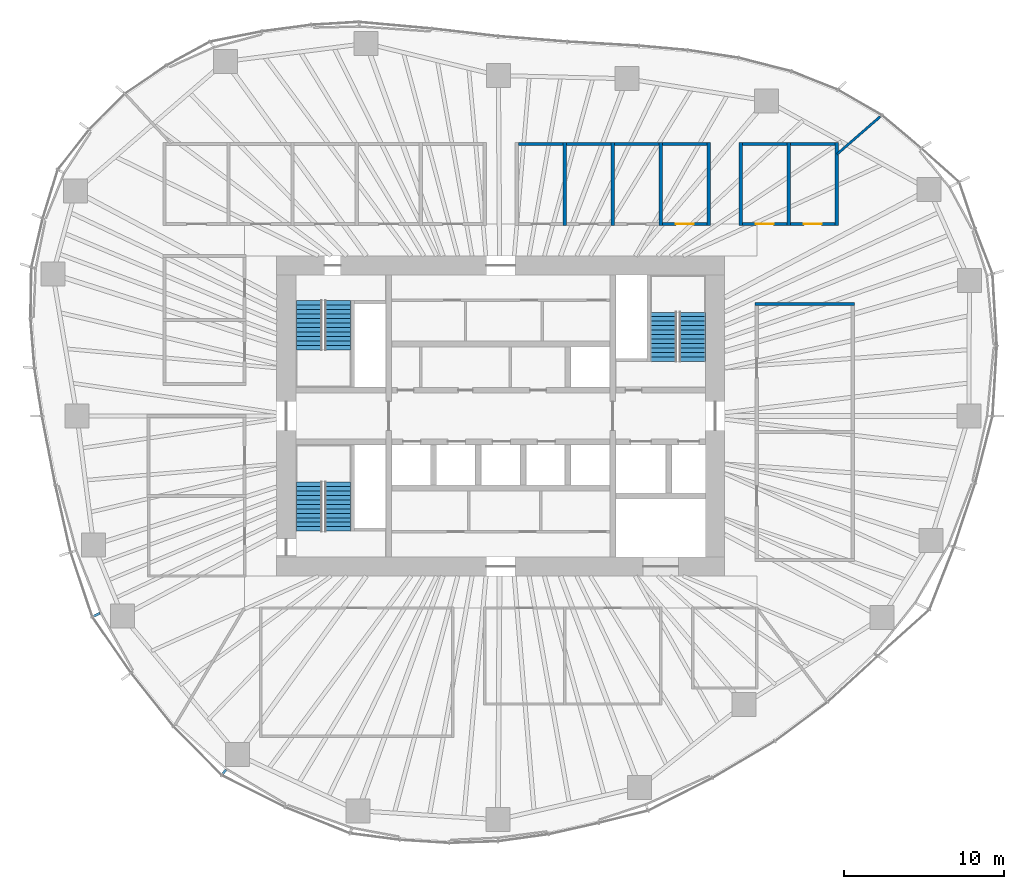
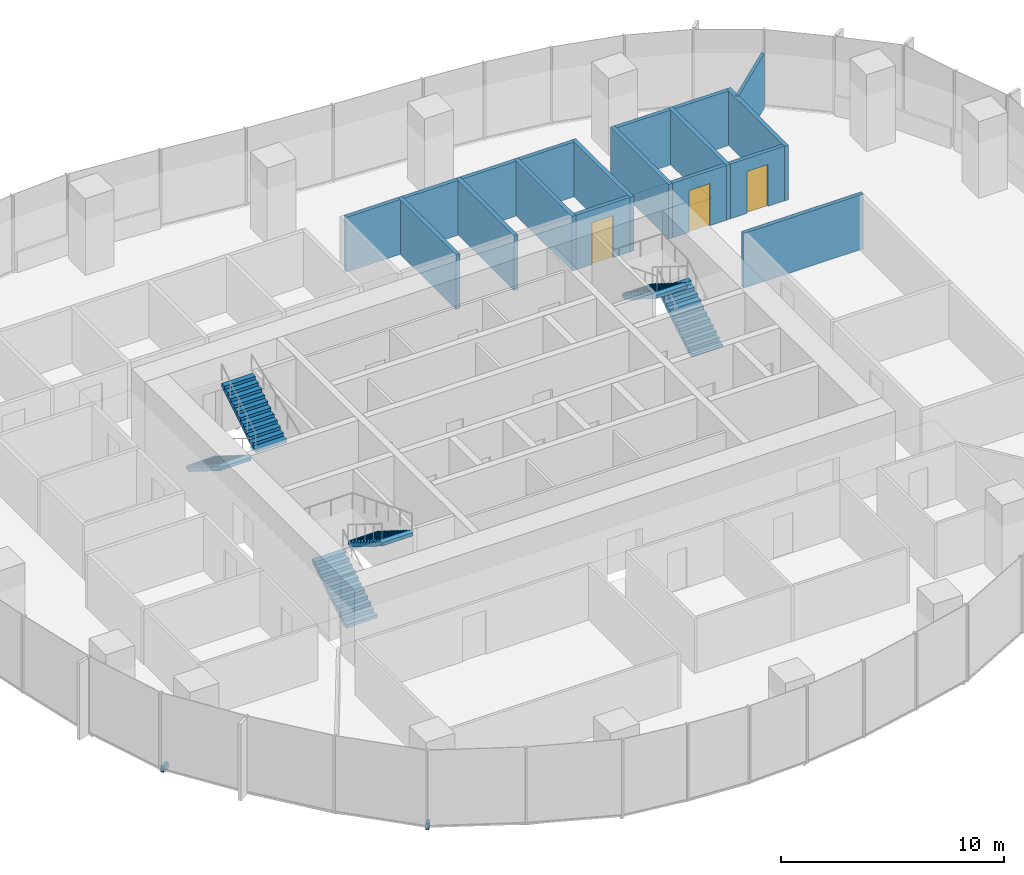
# One storey, part 11 of 18: 18 walls, 6 stair flights, 3 doors, 2 discrete accessories, 3 openings, 3 elements without a shape of their own.
"""IFC4 building model written with IfcOpenShell, lengths in metres."""

import ifcopenshell
import ifcopenshell.guid

model = None  # the IFC model being written
_history = None  # IfcOwnerHistory: only IFC2X3 demands one
_inside = {}  # id of a spatial element -> (the spatial element, [elements in it])
_under = {}  # id of a project, library or spatial element -> (it, [spatial elements below it])
_declared = {}  # id of a project -> (the project, [libraries it declares])
_typed = {}  # id of a type object -> (the type object, [elements of that type])
_made_of = {}  # id of a material, layer set ... -> (it, [elements and type objects made of it])


def new_model(schema):
    """Start an empty IFC model of exactly this schema.

    Asked for "IFC4X3", IfcOpenShell would pick the latest addendum, in which some entities
    have other attributes; the version numbers below select the first issue.
    IFC2X3 requires an IfcOwnerHistory on every rooted entity: one is made here for all.
    """
    global model, _history
    if schema == "IFC4X3":
        model = ifcopenshell.file(schema_version=(4, 3, 0, 0))
    else:
        model = ifcopenshell.file(schema=schema)
    _inside.clear()
    _under.clear()
    _declared.clear()
    _typed.clear()
    _made_of.clear()
    _history = None
    if model.schema == "IFC2X3":
        org = make("IfcOrganization", Name="unknown")
        user = make(
            "IfcPersonAndOrganization",
            ThePerson=make("IfcPerson", FamilyName="unknown"),
            TheOrganization=org,
        )
        app = make(
            "IfcApplication",
            ApplicationDeveloper=org,
            Version="unknown",
            ApplicationFullName="unknown",
            ApplicationIdentifier="unknown",
        )
        _history = make(
            "IfcOwnerHistory",
            OwningUser=user,
            OwningApplication=app,
            ChangeAction="ADDED",
            CreationDate=0,
        )
    return model


def make(cls, **values):
    """One entity of the class cls with the attributes given. An attribute that is None is left unset."""
    return model.create_entity(
        cls, **{name: value for name, value in values.items() if value is not None}
    )


def rooted(cls, **values):
    """An entity with a GlobalId (a new one), such as an element, a storey or a relation."""
    return make(cls, GlobalId=ifcopenshell.guid.new(), OwnerHistory=_history, **values)


def si_unit(unit_type, name, prefix=None):
    """IfcSIUnit, for example si_unit("LENGTHUNIT", "METRE", prefix="MILLI")."""
    return make("IfcSIUnit", UnitType=unit_type, Prefix=prefix, Name=name)


def assignment(units):
    """IfcUnitAssignment: the units of a project."""
    return None if units is None else make("IfcUnitAssignment", Units=units)


def point(xyz):
    """IfcCartesianPoint."""
    return None if xyz is None else make("IfcCartesianPoint", Coordinates=xyz)


def direction(xyz):
    """IfcDirection."""
    return None if xyz is None else make("IfcDirection", DirectionRatios=xyz)


def frame(location, z_axis=None, x_axis=None):
    """IfcAxis2Placement3D, a coordinate frame: its origin and axes. An axis left out is left unset."""
    return make(
        "IfcAxis2Placement3D",
        Location=point(location),
        Axis=direction(z_axis),
        RefDirection=direction(x_axis),
    )


def frame_2d(location, x_axis=None):
    """IfcAxis2Placement2D, a coordinate frame in the plane: its origin and x axis."""
    return make(
        "IfcAxis2Placement2D", Location=point(location), RefDirection=direction(x_axis)
    )


def origin():
    """The frame at (0, 0, 0) with its axes left unset."""
    return frame((0.0, 0.0, 0.0))


def origin_2d():
    """The frame at (0, 0) in the plane with its x axis left unset."""
    return frame_2d((0.0, 0.0))


def place(relative_to, where):
    """IfcLocalPlacement: puts the frame where relative to a parent placement (None: the world)."""
    return make(
        "IfcLocalPlacement", PlacementRelTo=relative_to, RelativePlacement=where
    )


def context(
    kind, dimensions, precision=None, world=None, true_north=None, identifier=None
):
    """IfcGeometricRepresentationContext, for example the 3D "Model" context."""
    return make(
        "IfcGeometricRepresentationContext",
        ContextIdentifier=identifier,
        ContextType=kind,
        CoordinateSpaceDimension=dimensions,
        Precision=precision,
        WorldCoordinateSystem=world,
        TrueNorth=true_north,
    )


def subcontext(parent, identifier, kind, view, scale=None):
    """IfcGeometricRepresentationSubContext, for example "Body" below "Model"."""
    return make(
        "IfcGeometricRepresentationSubContext",
        ContextIdentifier=identifier,
        ContextType=kind,
        ParentContext=parent,
        TargetScale=scale,
        TargetView=view,
    )


def project(units=None, contexts=None):
    """IfcProject with its units and contexts."""
    return rooted(
        "IfcProject",
        Name="project",
        RepresentationContexts=contexts,
        UnitsInContext=assignment(units),
    )


def spatial(cls, under=None, at=None, **own):
    """A site, building, storey or space (cls), placed at a placement, below another one or the project."""
    s = rooted(cls, ObjectPlacement=at, **own)
    if under is not None:
        _under.setdefault(under.id(), (under, []))[1].append(s)
    return s


def polyline(points):
    """IfcPolyline through the points."""
    return make("IfcPolyline", Points=[point(p) for p in points])


def profile(cls, at=None, kind="AREA", **sizes):
    """A parametric profile (cls). Its sizes go by their IFC names, for example OverallWidth=200.0."""
    return make(cls, ProfileType=kind, Position=at, **sizes)


def rectangle(**sizes):
    """IfcRectangleProfileDef."""
    return profile("IfcRectangleProfileDef", **sizes)


def outline(outer, holes=None, kind="AREA"):
    """IfcArbitraryClosedProfileDef: a profile drawn as a closed curve; with holes, ...WithVoids."""
    if holes is None:
        return make("IfcArbitraryClosedProfileDef", ProfileType=kind, OuterCurve=outer)
    return make(
        "IfcArbitraryProfileDefWithVoids",
        ProfileType=kind,
        OuterCurve=outer,
        InnerCurves=holes,
    )


def extrude(swept, where, along, depth):
    """IfcExtrudedAreaSolid: the profile swept, set in the frame where, extruded along a direction by depth."""
    return make(
        "IfcExtrudedAreaSolid",
        SweptArea=swept,
        Position=where,
        ExtrudedDirection=direction(along),
        Depth=depth,
    )


def shape(context_of_items, identifier, shape_type, items):
    """IfcShapeRepresentation: the items that make up one representation, for example the "Body"."""
    return make(
        "IfcShapeRepresentation",
        ContextOfItems=context_of_items,
        RepresentationIdentifier=identifier,
        RepresentationType=shape_type,
        Items=items,
    )


def material(Name=None, Category=None):
    """IfcMaterial."""
    return make("IfcMaterial", Name=Name, Category=Category)


def layer(
    of_material, thickness, ventilated=None, Name=None, Category=None, Priority=None
):
    """IfcMaterialLayer: one layer of a wall or slab, of a material (None: an air gap)."""
    return make(
        "IfcMaterialLayer",
        Material=of_material,
        LayerThickness=thickness,
        IsVentilated=ventilated,
        Name=Name,
        Category=Category,
        Priority=Priority,
    )


def layer_set(layers, Name=None):
    """IfcMaterialLayerSet."""
    return make("IfcMaterialLayerSet", MaterialLayers=layers, LayerSetName=Name)


def made_of(thing, what):
    """Note that an element or type object is made of a material, layer set ...; save() writes the relation."""
    if what is not None:
        _made_of.setdefault(what.id(), (what, []))[1].append(thing)
    return thing


def type_object(cls, material=None, **own):
    """A type object (cls), such as IfcWallType, which elements share."""
    return made_of(rooted(cls, **own), material)


def element(
    cls,
    number,
    at=None,
    inside=None,
    cuts=None,
    type_object=None,
    material=None,
    context=None,
    identifier="Body",
    shape_type=None,
    held_by="IfcProductDefinitionShape",
    body=None,
    shapes=None,
    **own,
):
    """One element of the class cls, such as IfcWall. Its Tag is "e" and its number.

    at: its placement. inside: the storey or other place that contains it. cuts: it is an
    opening in that element (IfcRelVoidsElement). A single representation is given by context,
    identifier, shape_type and body (its items); several are given by shapes. held_by: the class
    of the entity that holds the representations. save() writes the other relations.
    """
    e = rooted(cls, Tag="e%d" % number, ObjectPlacement=at, **own)
    if body is not None:
        shapes = [shape(context, identifier, shape_type, body)]
    if shapes is not None:
        e.Representation = make(held_by, Representations=shapes)
    if inside is not None:
        _inside.setdefault(inside.id(), (inside, []))[1].append(e)
    if cuts is not None:
        rooted(
            "IfcRelVoidsElement", RelatingBuildingElement=cuts, RelatedOpeningElement=e
        )
    if type_object is not None:
        _typed.setdefault(type_object.id(), (type_object, []))[1].append(e)
    return made_of(e, material)


def fill(opening, filler):
    """IfcRelFillsElement: the door or window that sits in an opening."""
    return rooted(
        "IfcRelFillsElement",
        RelatingOpeningElement=opening,
        RelatedBuildingElement=filler,
    )


def aggregate(whole, parts):
    """IfcRelAggregates: a whole, such as a stair, and the parts it consists of."""
    return rooted("IfcRelAggregates", RelatingObject=whole, RelatedObjects=parts)


def save(model, path):
    """Write the relations noted so far, then the file.

    IfcRelAggregates (storeys below a building ...), IfcRelContainedInSpatialStructure (elements
    in a storey), IfcRelDefinesByType, IfcRelAssociatesMaterial and IfcRelDeclares: one each for
    every whole, place, type object, material and project.
    """
    for whole, parts in _under.values():
        aggregate(whole, parts)
    for where, things in _inside.values():
        rooted(
            "IfcRelContainedInSpatialStructure",
            RelatedElements=things,
            RelatingStructure=where,
        )
    for kind, things in _typed.values():
        rooted("IfcRelDefinesByType", RelatedObjects=things, RelatingType=kind)
    for what, things in _made_of.values():
        rooted("IfcRelAssociatesMaterial", RelatedObjects=things, RelatingMaterial=what)
    for by, libraries in _declared.values():
        rooted("IfcRelDeclares", RelatingContext=by, RelatedDefinitions=libraries)
    model.write(path)


model = new_model("IFC4")

# Units and contexts
model_context = context("Model", 3, precision=1e-05, world=origin(), true_north=direction((0.0, 1.0)))
body_context = subcontext(model_context, "Body", "Model", "MODEL_VIEW")
ifc_project = project(units=[si_unit("LENGTHUNIT", "METRE"), si_unit("AREAUNIT", "SQUARE_METRE"), si_unit("VOLUMEUNIT", "CUBIC_METRE"), si_unit("PLANEANGLEUNIT", "RADIAN"), si_unit("MASSUNIT", "GRAM", prefix="KILO")], contexts=[model_context])

# Site, building, storey
site_placement = place(None, origin())
site = spatial("IfcSite", under=ifc_project, at=site_placement, CompositionType="ELEMENT")
building_placement = place(site_placement, origin())
building = spatial("IfcBuilding", under=site, at=building_placement, Name="Ghaith Harvest Tower", CompositionType="ELEMENT")
storey_placement = place(building_placement, frame((0.0, 0.0, 138.60009765625)))
storey = spatial("IfcBuildingStorey", under=building, at=storey_placement, Name="L29", CompositionType="ELEMENT", Elevation=138.60009765625)

# Walls
ifc_material_1 = material(Name="Twin-stud gypsum board, acoustic", Category="gypsum")
ifc_layer_1 = layer(ifc_material_1, 0.199951171875)
ifc_layer_set_1 = layer_set([ifc_layer_1], Name="ACOUSTIC PARTITION 200")
wall_type_1 = type_object("IfcWallType", Name="ACOUSTIC PARTITION 200", PredefinedType="PARTITIONING", material=ifc_layer_set_1)
for number, where, z_axis, x_axis, name in (
    (1, (4.0, 11.89990234375, 0.0), (0.0, 0.0, 1.0), (0.0, 1.0, 0.0), "Partition L29 row N4 cross wall 2"),
    (2, (7.0, 11.89990234375, 0.0), (0.0, 0.0, 1.0), (0.0, 1.0, 0.0), "Partition L29 row N4 cross wall 3"),
    (3, (10.0, 11.89990234375, 0.0), (0.0, 0.0, 1.0), (0.0, 1.0, 0.0), "Partition L29 row N4 cross wall 4"),
    (4, (13.0, 11.89990234375, 0.0), (0.0, 0.0, 1.0), (0.0, 1.0, 0.0), "Partition L29 row N4 cross wall 5"),
):
    element("IfcWall", number, at=place(storey_placement, frame(where, z_axis=z_axis, x_axis=x_axis)), inside=storey, type_object=wall_type_1, Name=name, PredefinedType="PARTITIONING", context=body_context, shape_type="SweptSolid", body=[
        extrude(rectangle(XDim=5.2001953125, YDim=0.199951171875, at=frame_2d((2.60009765625, 0.0))), origin(), (0.0, 0.0, 1.0), 3.0),
    ])
for number, where, z_axis, x_axis, name in (
    (5, (1.10009765625, 17.0, 0.0), (0.0, 0.0, 1.0), (1.0, 0.0, 0.0), "Partition L29-09"),
    (6, (4.10009765625, 17.0, 0.0), (0.0, 0.0, 1.0), (1.0, 0.0, 0.0), "Partition L29-10"),
    (7, (7.10009765625, 17.0, 0.0), (0.0, 0.0, 1.0), (1.0, 0.0, 0.0), "Partition L29-11"),
):
    element("IfcWall", number, at=place(storey_placement, frame(where, z_axis=z_axis, x_axis=x_axis)), inside=storey, type_object=wall_type_1, Name=name, PredefinedType="PARTITIONING", context=body_context, shape_type="SweptSolid", body=[
        extrude(rectangle(XDim=2.7998046875, YDim=0.199951171875, at=frame_2d((1.39990234375, 0.0))), origin(), (0.0, 0.0, 1.0), 3.0),
    ])

# Wall, opening, door
wall_1_placement = place(storey_placement, frame((10.10009765625, 12.0, 0.0), z_axis=(0.0, 0.0, 1.0), x_axis=(1.0, 0.0, 0.0)))
wall_1 = element("IfcWall", 8, at=wall_1_placement, inside=storey, type_object=wall_type_1, Name="Partition L29-12", PredefinedType="PARTITIONING", context=body_context, shape_type="SweptSolid", body=[
    extrude(rectangle(XDim=2.7998046875, YDim=0.199951171875, at=frame_2d((1.39990234375, 0.0))), origin(), (0.0, 0.0, 1.0), 3.0),
])
opening_1_placement = place(wall_1_placement, frame((0.85009765625, 0.0, 0.0)))
opening_1 = element("IfcOpeningElement", 9, at=opening_1_placement, cuts=wall_1, Name="Opening 29-037", PredefinedType="OPENING", context=body_context, shape_type="SweptSolid", body=[
    extrude(rectangle(XDim=1.10009765625, YDim=2.300048828125, at=frame_2d((0.550048828125, 1.14990234375))), frame((0.0, 0.10986328125, 0.0), z_axis=(0.0, -1.0, 0.0), x_axis=(1.0, 0.0, 0.0)), (0.0, 0.0, 1.0), 0.219970703125),
])
ifc_material_2 = material(Name="Timber-framed glazed door", Category="wood")
door_type = type_object("IfcDoorType", Name="D12 GLAZED OFFICE 1100x2300", OperationType="SINGLE_SWING_LEFT", PredefinedType="DOOR", material=ifc_material_2)
door_1_placement = place(opening_1_placement, origin())
door_1 = element("IfcDoor", 10, at=door_1_placement, inside=storey, type_object=door_type, Name="Focus room door", OperationType="SINGLE_SWING_LEFT", OverallHeight=2.300048828125, OverallWidth=1.10009765625, PredefinedType="DOOR", context=body_context, shape_type="SweptSolid", body=[
    extrude(rectangle(XDim=1.10009765625, YDim=2.300048828125, at=frame_2d((0.550048828125, 1.14990234375))), frame((0.0, 0.02490234375, 0.0), z_axis=(0.0, -1.0, 0.0), x_axis=(1.0, 0.0, 0.0)), (0.0, 0.0, 1.0), 0.050048828125),
])
fill(opening_1, door_1)

# Walls
wall_2_placement = place(storey_placement, frame((10.10009765625, 17.0, 0.0), z_axis=(0.0, 0.0, 1.0), x_axis=(1.0, 0.0, 0.0)))
element("IfcWall", 11, at=wall_2_placement, inside=storey, type_object=wall_type_1, Name="Partition L29-12", PredefinedType="PARTITIONING", context=body_context, shape_type="SweptSolid", body=[
    extrude(rectangle(XDim=2.7998046875, YDim=0.199951171875, at=frame_2d((1.39990234375, 0.0))), origin(), (0.0, 0.0, 1.0), 3.0),
])
wall_3_placement = place(storey_placement, frame((15.89990234375, 7.0, 0.0), z_axis=(0.0, 0.0, 1.0), x_axis=(1.0, 0.0, 0.0)))
element("IfcWall", 12, at=wall_3_placement, inside=storey, type_object=wall_type_1, Name="Partition L29 row E5 cross wall 3", PredefinedType="PARTITIONING", context=body_context, shape_type="SweptSolid", body=[
    extrude(rectangle(XDim=6.2001953125, YDim=0.199951171875, at=frame_2d((3.10009765625, 0.0))), origin(), (0.0, 0.0, 1.0), 3.0),
])
for number, where, z_axis, x_axis, name in (
    (13, (15.0, 11.89990234375, 0.0), (0.0, 0.0, 1.0), (0.0, 1.0, 0.0), "Partition L29 row N7 cross wall 1"),
    (14, (18.0, 11.89990234375, 0.0), (0.0, 0.0, 1.0), (0.0, 1.0, 0.0), "Partition L29 row N7 cross wall 2"),
    (15, (21.0, 11.89990234375, 0.0), (0.0, 0.0, 1.0), (0.0, 1.0, 0.0), "Partition L29 row N7 cross wall 3"),
):
    element("IfcWall", number, at=place(storey_placement, frame(where, z_axis=z_axis, x_axis=x_axis)), inside=storey, type_object=wall_type_1, Name=name, PredefinedType="PARTITIONING", context=body_context, shape_type="SweptSolid", body=[
        extrude(rectangle(XDim=5.2001953125, YDim=0.199951171875, at=frame_2d((2.60009765625, 0.0))), origin(), (0.0, 0.0, 1.0), 3.0),
    ])

# Wall, opening, door
wall_4_placement = place(storey_placement, frame((15.10009765625, 12.0, 0.0), z_axis=(0.0, 0.0, 1.0), x_axis=(1.0, 0.0, 0.0)))
wall_4 = element("IfcWall", 16, at=wall_4_placement, inside=storey, type_object=wall_type_1, Name="Partition L29-17", PredefinedType="PARTITIONING", context=body_context, shape_type="SweptSolid", body=[
    extrude(rectangle(XDim=2.7998046875, YDim=0.199951171875, at=frame_2d((1.39990234375, 0.0))), origin(), (0.0, 0.0, 1.0), 3.0),
])
opening_2_placement = place(wall_4_placement, frame((0.85009765625, 0.0, 0.0)))
opening_2 = element("IfcOpeningElement", 17, at=opening_2_placement, cuts=wall_4, Name="Opening 29-042", PredefinedType="OPENING", context=body_context, shape_type="SweptSolid", body=[
    extrude(rectangle(XDim=1.10009765625, YDim=2.300048828125, at=frame_2d((0.550048828125, 1.14990234375))), frame((0.0, 0.10986328125, 0.0), z_axis=(0.0, -1.0, 0.0), x_axis=(1.0, 0.0, 0.0)), (0.0, 0.0, 1.0), 0.219970703125),
])
door_2_placement = place(opening_2_placement, origin())
door_2 = element("IfcDoor", 18, at=door_2_placement, inside=storey, type_object=door_type, Name="Focus room door", OperationType="SINGLE_SWING_LEFT", OverallHeight=2.300048828125, OverallWidth=1.10009765625, PredefinedType="DOOR", context=body_context, shape_type="SweptSolid", body=[
    extrude(rectangle(XDim=1.10009765625, YDim=2.300048828125, at=frame_2d((0.550048828125, 1.14990234375))), frame((0.0, 0.02490234375, 0.0), z_axis=(0.0, -1.0, 0.0), x_axis=(1.0, 0.0, 0.0)), (0.0, 0.0, 1.0), 0.050048828125),
])
fill(opening_2, door_2)

# Wall
wall_5_placement = place(storey_placement, frame((15.10009765625, 17.0, 0.0), z_axis=(0.0, 0.0, 1.0), x_axis=(1.0, 0.0, 0.0)))
element("IfcWall", 19, at=wall_5_placement, inside=storey, type_object=wall_type_1, Name="Partition L29-17", PredefinedType="PARTITIONING", context=body_context, shape_type="SweptSolid", body=[
    extrude(rectangle(XDim=2.7998046875, YDim=0.199951171875, at=frame_2d((1.39990234375, 0.0))), origin(), (0.0, 0.0, 1.0), 3.0),
])

# Wall, opening, door
wall_6_placement = place(storey_placement, frame((18.10009765625, 12.0, 0.0), z_axis=(0.0, 0.0, 1.0), x_axis=(1.0, 0.0, 0.0)))
wall_6 = element("IfcWall", 20, at=wall_6_placement, inside=storey, type_object=wall_type_1, Name="Partition L29-18", PredefinedType="PARTITIONING", context=body_context, shape_type="SweptSolid", body=[
    extrude(rectangle(XDim=2.7998046875, YDim=0.199951171875, at=frame_2d((1.39990234375, 0.0))), origin(), (0.0, 0.0, 1.0), 3.0),
])
opening_3_placement = place(wall_6_placement, frame((0.85009765625, 0.0, 0.0)))
opening_3 = element("IfcOpeningElement", 21, at=opening_3_placement, cuts=wall_6, Name="Opening 29-043", PredefinedType="OPENING", context=body_context, shape_type="SweptSolid", body=[
    extrude(rectangle(XDim=1.10009765625, YDim=2.300048828125, at=frame_2d((0.550048828125, 1.14990234375))), frame((0.0, 0.10986328125, 0.0), z_axis=(0.0, -1.0, 0.0), x_axis=(1.0, 0.0, 0.0)), (0.0, 0.0, 1.0), 0.219970703125),
])
door_3_placement = place(opening_3_placement, origin())
door_3 = element("IfcDoor", 22, at=door_3_placement, inside=storey, type_object=door_type, Name="Focus room door", OperationType="SINGLE_SWING_LEFT", OverallHeight=2.300048828125, OverallWidth=1.10009765625, PredefinedType="DOOR", context=body_context, shape_type="SweptSolid", body=[
    extrude(rectangle(XDim=1.10009765625, YDim=2.300048828125, at=frame_2d((0.550048828125, 1.14990234375))), frame((0.0, 0.02490234375, 0.0), z_axis=(0.0, -1.0, 0.0), x_axis=(1.0, 0.0, 0.0)), (0.0, 0.0, 1.0), 0.050048828125),
])
fill(opening_3, door_3)

# Walls
wall_7_placement = place(storey_placement, frame((18.10009765625, 17.0, 0.0), z_axis=(0.0, 0.0, 1.0), x_axis=(1.0, 0.0, 0.0)))
element("IfcWall", 23, at=wall_7_placement, inside=storey, type_object=wall_type_1, Name="Partition L29-18", PredefinedType="PARTITIONING", context=body_context, shape_type="SweptSolid", body=[
    extrude(rectangle(XDim=2.7998046875, YDim=0.199951171875, at=frame_2d((1.39990234375, 0.0))), origin(), (0.0, 0.0, 1.0), 3.0),
])
ifc_material_3 = material(Name="Gypsum board on steel studs", Category="steel")
ifc_layer_2 = layer(ifc_material_3, 0.14990234375)
ifc_layer_set_2 = layer_set([ifc_layer_2], Name="PARTITION 150")
wall_type_2 = type_object("IfcWallType", Name="PARTITION 150", PredefinedType="PARTITIONING", material=ifc_layer_set_2)
wall_8_placement = place(storey_placement, frame((21.02001953125, 16.364013671875, 0.0), z_axis=(0.0, 0.0, 1.0), x_axis=(0.75467183248, 0.656102450278, 0.0)))
element("IfcWall", 24, at=wall_8_placement, inside=storey, type_object=wall_type_2, Name="Partition L29 zone division", PredefinedType="PARTITIONING", context=body_context, shape_type="SweptSolid", body=[
    extrude(rectangle(XDim=3.566650390625, YDim=0.14990234375, at=frame_2d((1.783203125, 0.0))), origin(), (0.0, 0.0, 1.0), 3.0),
])

# Stair, stair flights
ifc_material_4 = material(Name="Concrete C40/50, precast", Category="concrete")
stair_type = type_object("IfcStairType", Name="CORE STAIR 24R", PredefinedType="HALF_TURN_STAIR", material=ifc_material_4)
stair_1_placement = place(storey_placement, origin())
stair_1 = element("IfcStair", 25, at=stair_1_placement, inside=storey, type_object=stair_type, Name="Stair ST1 L29", PredefinedType="HALF_TURN_STAIR")
ifc_material_5 = material(Name="Concrete C40/50, precast", Category="concrete")
stair_flight_type = type_object("IfcStairFlightType", Name="CORE FLIGHT 12R 1600", PredefinedType="STRAIGHT", material=ifc_material_5)
stair_flight_1_placement = place(storey_placement, frame((-12.0, 7.199951171875, 0.0), z_axis=(0.0, 0.0, 1.0), x_axis=(0.0, -1.0, 0.0)))
stair_flight_1 = element("IfcStairFlight", 26, at=stair_flight_1_placement, type_object=stair_flight_type, Name="ST1 flight 1", NumberOfRisers=12, NumberOfTreads=11, PredefinedType="STRAIGHT", RiserHeight=0.175, TreadLength=0.28, context=body_context, shape_type="SweptSolid", body=[
    extrude(outline(polyline([(0.0, 0.0), (0.0, 0.175048828125), (0.280029296875, 0.175048828125), (0.280029296875, 0.35009765625), (0.56005859375, 0.35009765625), (0.56005859375, 0.52490234375), (0.840087890625, 0.52490234375), (0.840087890625, 0.699951171875), (1.1201171875, 0.699951171875), (1.1201171875, 0.875), (1.39990234375, 0.875), (1.39990234375, 1.050048828125), (1.679931640625, 1.050048828125), (1.679931640625, 1.22509765625), (1.9599609375, 1.22509765625), (1.9599609375, 1.39990234375), (2.239990234375, 1.39990234375), (2.239990234375, 1.574951171875), (2.52001953125, 1.574951171875), (2.52001953125, 1.75), (2.800048828125, 1.75), (2.800048828125, 1.925048828125), (3.080078125, 1.925048828125), (3.080078125, 2.10009765625), (3.080078125, 1.748291015625), (0.28271484375, 0.0), (0.0, 0.0)])), frame((0.0, 0.800048828125, 0.0), z_axis=(0.0, -1.0, 0.0), x_axis=(1.0, 0.0, 0.0)), (0.0, 0.0, 1.0), 1.60009765625),
])
stair_flight_2_placement = place(storey_placement, frame((-10.14990234375, 4.1201171875, 2.099853515625), z_axis=(0.0, 0.0, 1.0), x_axis=(0.0, 1.0, 0.0)))
stair_flight_2 = element("IfcStairFlight", 27, at=stair_flight_2_placement, type_object=stair_flight_type, Name="ST1 flight 2", NumberOfRisers=12, NumberOfTreads=11, PredefinedType="STRAIGHT", RiserHeight=0.175, TreadLength=0.28, context=body_context, shape_type="SweptSolid", body=[
    extrude(outline(polyline([(0.0, 0.0), (0.0, 0.175048828125), (0.280029296875, 0.175048828125), (0.280029296875, 0.35009765625), (0.56005859375, 0.35009765625), (0.56005859375, 0.52490234375), (0.840087890625, 0.52490234375), (0.840087890625, 0.699951171875), (1.1201171875, 0.699951171875), (1.1201171875, 0.875), (1.39990234375, 0.875), (1.39990234375, 1.050048828125), (1.679931640625, 1.050048828125), (1.679931640625, 1.22509765625), (1.9599609375, 1.22509765625), (1.9599609375, 1.39990234375), (2.239990234375, 1.39990234375), (2.239990234375, 1.574951171875), (2.52001953125, 1.574951171875), (2.52001953125, 1.75), (2.800048828125, 1.75), (2.800048828125, 1.925048828125), (3.080078125, 1.925048828125), (3.080078125, 2.10009765625), (3.080078125, 1.748291015625), (0.28271484375, 0.0), (0.0, 0.0)])), frame((0.0, 0.800048828125, 0.0), z_axis=(0.0, -1.0, 0.0), x_axis=(1.0, 0.0, 0.0)), (0.0, 0.0, 1.0), 1.60009765625),
])
aggregate(stair_1, [stair_flight_1, stair_flight_2])

stair_2_placement = place(storey_placement, origin())
stair_2 = element("IfcStair", 28, at=stair_2_placement, inside=storey, type_object=stair_type, Name="Stair ST3 L29", PredefinedType="HALF_TURN_STAIR")
stair_flight_3_placement = place(storey_placement, frame((-12.0, -7.199951171875, 0.0), z_axis=(0.0, 0.0, 1.0), x_axis=(0.0, 1.0, 0.0)))
stair_flight_3 = element("IfcStairFlight", 29, at=stair_flight_3_placement, type_object=stair_flight_type, Name="ST3 flight 1", NumberOfRisers=12, NumberOfTreads=11, PredefinedType="STRAIGHT", RiserHeight=0.175, TreadLength=0.28, context=body_context, shape_type="SweptSolid", body=[
    extrude(outline(polyline([(0.0, 0.0), (0.0, 0.175048828125), (0.280029296875, 0.175048828125), (0.280029296875, 0.35009765625), (0.56005859375, 0.35009765625), (0.56005859375, 0.52490234375), (0.840087890625, 0.52490234375), (0.840087890625, 0.699951171875), (1.1201171875, 0.699951171875), (1.1201171875, 0.875), (1.39990234375, 0.875), (1.39990234375, 1.050048828125), (1.679931640625, 1.050048828125), (1.679931640625, 1.22509765625), (1.9599609375, 1.22509765625), (1.9599609375, 1.39990234375), (2.239990234375, 1.39990234375), (2.239990234375, 1.574951171875), (2.52001953125, 1.574951171875), (2.52001953125, 1.75), (2.800048828125, 1.75), (2.800048828125, 1.925048828125), (3.080078125, 1.925048828125), (3.080078125, 2.10009765625), (3.080078125, 1.748291015625), (0.28271484375, 0.0), (0.0, 0.0)])), frame((0.0, 0.800048828125, 0.0), z_axis=(0.0, -1.0, 0.0), x_axis=(1.0, 0.0, 0.0)), (0.0, 0.0, 1.0), 1.60009765625),
])
stair_flight_4_placement = place(storey_placement, frame((-10.14990234375, -4.1201171875, 2.099853515625), z_axis=(0.0, 0.0, 1.0), x_axis=(0.0, -1.0, 0.0)))
stair_flight_4 = element("IfcStairFlight", 30, at=stair_flight_4_placement, type_object=stair_flight_type, Name="ST3 flight 2", NumberOfRisers=12, NumberOfTreads=11, PredefinedType="STRAIGHT", RiserHeight=0.175, TreadLength=0.28, context=body_context, shape_type="SweptSolid", body=[
    extrude(outline(polyline([(0.0, 0.0), (0.0, 0.175048828125), (0.280029296875, 0.175048828125), (0.280029296875, 0.35009765625), (0.56005859375, 0.35009765625), (0.56005859375, 0.52490234375), (0.840087890625, 0.52490234375), (0.840087890625, 0.699951171875), (1.1201171875, 0.699951171875), (1.1201171875, 0.875), (1.39990234375, 0.875), (1.39990234375, 1.050048828125), (1.679931640625, 1.050048828125), (1.679931640625, 1.22509765625), (1.9599609375, 1.22509765625), (1.9599609375, 1.39990234375), (2.239990234375, 1.39990234375), (2.239990234375, 1.574951171875), (2.52001953125, 1.574951171875), (2.52001953125, 1.75), (2.800048828125, 1.75), (2.800048828125, 1.925048828125), (3.080078125, 1.925048828125), (3.080078125, 2.10009765625), (3.080078125, 1.748291015625), (0.28271484375, 0.0), (0.0, 0.0)])), frame((0.0, 0.800048828125, 0.0), z_axis=(0.0, -1.0, 0.0), x_axis=(1.0, 0.0, 0.0)), (0.0, 0.0, 1.0), 1.60009765625),
])
aggregate(stair_2, [stair_flight_3, stair_flight_4])

stair_3_placement = place(storey_placement, origin())
stair_3 = element("IfcStair", 31, at=stair_3_placement, inside=storey, type_object=stair_type, Name="Stair ST2 L29", PredefinedType="HALF_TURN_STAIR")
stair_flight_5_placement = place(storey_placement, frame((12.0, 3.39990234375, 0.0), z_axis=(0.0, 0.0, 1.0), x_axis=(0.0, 1.0, 0.0)))
stair_flight_5 = element("IfcStairFlight", 32, at=stair_flight_5_placement, type_object=stair_flight_type, Name="ST2 flight 1", NumberOfRisers=12, NumberOfTreads=11, PredefinedType="STRAIGHT", RiserHeight=0.175, TreadLength=0.28, context=body_context, shape_type="SweptSolid", body=[
    extrude(outline(polyline([(0.0, 0.0), (0.0, 0.175048828125), (0.280029296875, 0.175048828125), (0.280029296875, 0.35009765625), (0.56005859375, 0.35009765625), (0.56005859375, 0.52490234375), (0.840087890625, 0.52490234375), (0.840087890625, 0.699951171875), (1.1201171875, 0.699951171875), (1.1201171875, 0.875), (1.39990234375, 0.875), (1.39990234375, 1.050048828125), (1.679931640625, 1.050048828125), (1.679931640625, 1.22509765625), (1.9599609375, 1.22509765625), (1.9599609375, 1.39990234375), (2.239990234375, 1.39990234375), (2.239990234375, 1.574951171875), (2.52001953125, 1.574951171875), (2.52001953125, 1.75), (2.800048828125, 1.75), (2.800048828125, 1.925048828125), (3.080078125, 1.925048828125), (3.080078125, 2.10009765625), (3.080078125, 1.748291015625), (0.28271484375, 0.0), (0.0, 0.0)])), frame((0.0, 0.800048828125, 0.0), z_axis=(0.0, -1.0, 0.0), x_axis=(1.0, 0.0, 0.0)), (0.0, 0.0, 1.0), 1.60009765625),
])
stair_flight_6_placement = place(storey_placement, frame((10.14990234375, 6.47998046875, 2.099853515625), z_axis=(0.0, 0.0, 1.0), x_axis=(0.0, -1.0, 0.0)))
stair_flight_6 = element("IfcStairFlight", 33, at=stair_flight_6_placement, type_object=stair_flight_type, Name="ST2 flight 2", NumberOfRisers=12, NumberOfTreads=11, PredefinedType="STRAIGHT", RiserHeight=0.175, TreadLength=0.28, context=body_context, shape_type="SweptSolid", body=[
    extrude(outline(polyline([(0.0, 0.0), (0.0, 0.175048828125), (0.280029296875, 0.175048828125), (0.280029296875, 0.35009765625), (0.56005859375, 0.35009765625), (0.56005859375, 0.52490234375), (0.840087890625, 0.52490234375), (0.840087890625, 0.699951171875), (1.1201171875, 0.699951171875), (1.1201171875, 0.875), (1.39990234375, 0.875), (1.39990234375, 1.050048828125), (1.679931640625, 1.050048828125), (1.679931640625, 1.22509765625), (1.9599609375, 1.22509765625), (1.9599609375, 1.39990234375), (2.239990234375, 1.39990234375), (2.239990234375, 1.574951171875), (2.52001953125, 1.574951171875), (2.52001953125, 1.75), (2.800048828125, 1.75), (2.800048828125, 1.925048828125), (3.080078125, 1.925048828125), (3.080078125, 2.10009765625), (3.080078125, 1.748291015625), (0.28271484375, 0.0), (0.0, 0.0)])), frame((0.0, 0.800048828125, 0.0), z_axis=(0.0, -1.0, 0.0), x_axis=(1.0, 0.0, 0.0)), (0.0, 0.0, 1.0), 1.60009765625),
])
aggregate(stair_3, [stair_flight_5, stair_flight_6])

# Discrete accessories
ifc_material_6 = material(Name="Stainless steel grade 1.4401", Category="steel")
discrete_accessory_type_1 = type_object("IfcDiscreteAccessoryType", Name="CURTAIN WALL BRACKET 315", PredefinedType="BRACKET", material=ifc_material_6)
discrete_accessory_1_placement = place(storey_placement, frame((-17.266357421875, -22.232421875, -0.250244140625), z_axis=(0.0, 0.0, 1.0), x_axis=(-0.613377713774, -0.789789706343, 0.0)))
element("IfcDiscreteAccessory", 34, at=discrete_accessory_1_placement, inside=storey, type_object=discrete_accessory_type_1, Name="CW-L bracket 1 bay 14 L29", PredefinedType="BRACKET", context=body_context, shape_type="SweptSolid", body=[
    extrude(rectangle(XDim=0.31494140625, YDim=0.14990234375, at=origin_2d()), origin(), (0.0, 0.0, 1.0), 0.35009765625),
])
ifc_material_7 = material(Name="Stainless steel grade 1.4401", Category="steel")
discrete_accessory_type_2 = type_object("IfcDiscreteAccessoryType", Name="CURTAIN WALL BRACKET 415", PredefinedType="BRACKET", material=ifc_material_7)
discrete_accessory_2_placement = place(storey_placement, frame((-25.228515625, -12.41796875, -0.250244140625), z_axis=(0.0, 0.0, 1.0), x_axis=(-0.897201221415, -0.441621974421, 0.0)))
element("IfcDiscreteAccessory", 35, at=discrete_accessory_2_placement, inside=storey, type_object=discrete_accessory_type_2, Name="CW-L bracket 2 bay 12 L29", PredefinedType="BRACKET", context=body_context, shape_type="SweptSolid", body=[
    extrude(rectangle(XDim=0.4150390625, YDim=0.14990234375, at=origin_2d()), origin(), (0.0, 0.0, 1.0), 0.35009765625),
])

save(model, "model.ifc")
